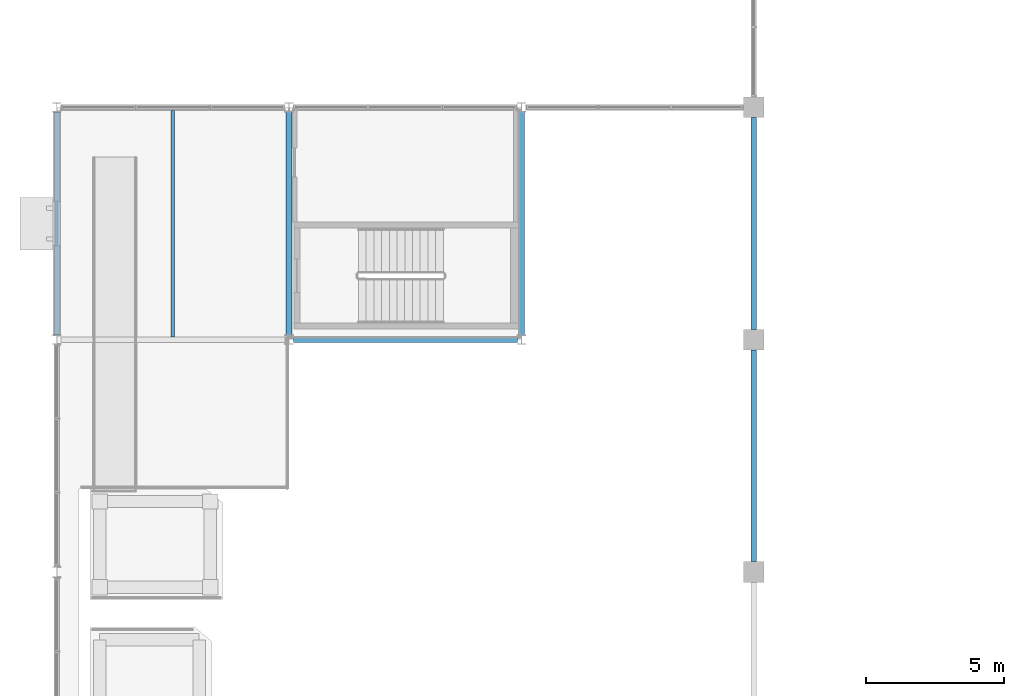
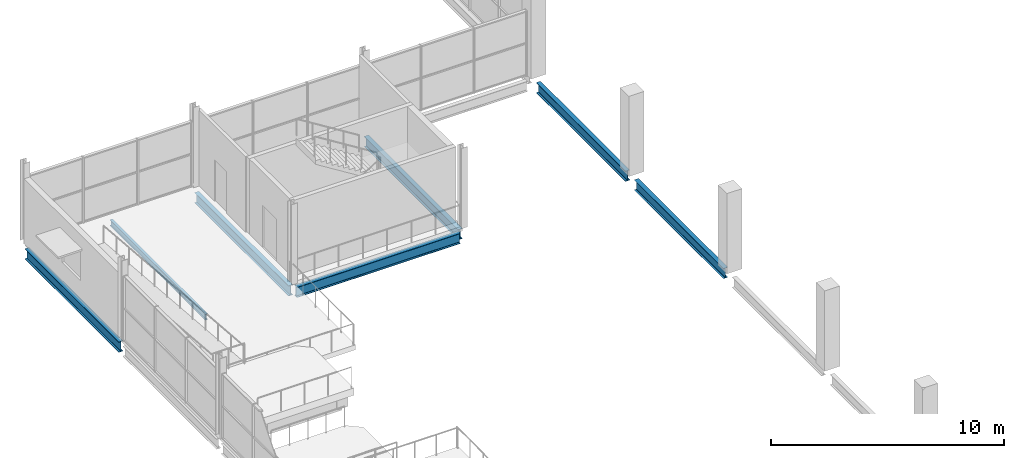
# One storey, part 33 of 93: 7 beams.
"""IFC4 building model written with IfcOpenShell, lengths in metres."""

from ifc_helpers import new_model, si_unit, direction, frame, origin, origin_2d, place, context, subcontext, project, spatial, i_section, extrude, material, material_profile, profile_set, type_object, element, save


model = new_model("IFC4")

# Units and contexts
model_context = context("Model", 3, precision=1e-05, world=origin(), true_north=direction((0.0, 1.0)))
body_context = subcontext(model_context, "Body", "Model", "MODEL_VIEW")
ifc_project = project(units=[si_unit("LENGTHUNIT", "METRE"), si_unit("AREAUNIT", "SQUARE_METRE"), si_unit("VOLUMEUNIT", "CUBIC_METRE"), si_unit("PLANEANGLEUNIT", "RADIAN"), si_unit("MASSUNIT", "GRAM", prefix="KILO"), si_unit("THERMODYNAMICTEMPERATUREUNIT", "KELVIN")], contexts=[model_context])

# Site, building, storey
site_placement = place(None, origin())
site = spatial("IfcSite", under=ifc_project, at=site_placement, CompositionType="ELEMENT")
building_placement = place(site_placement, origin())
building = spatial("IfcBuilding", under=site, at=building_placement, Name="Nduvali Passage Aquatics Centre", CompositionType="ELEMENT")
storey_placement = place(building_placement, frame((0.0, 0.0, 9.0)))
storey = spatial("IfcBuildingStorey", under=building, at=storey_placement, Name="L02", CompositionType="ELEMENT", Elevation=9.0)

# Beams
ifc_material = material(Name="Steel S355", Category="steel")
ifc_material_profile_1 = material_profile(ifc_material, i_section(OverallWidth=0.210693359375, OverallDepth=0.53955078125, WebThickness=0.01171875, FlangeThickness=0.018798828125, FilletRadius=0.0126953125, at=origin_2d()), Name="UKB 533x210x109")
ifc_profile_set_1 = profile_set([ifc_material_profile_1], Name="Steel S355")
beam_type_1 = type_object("IfcBeamType", Name="STR-BM-UKB533", PredefinedType="BEAM", material=ifc_profile_set_1)
beam_1_placement = place(storey_placement, frame((8.550048828125, 75.60009765625, -0.53369140625), z_axis=(1.0, 0.0, 0.0), x_axis=(0.0, 1.0, 0.0)))
element("IfcBeam", 1, at=beam_1_placement, inside=storey, type_object=beam_type_1, Name="L02 Primary X-Girder B6-0906", PredefinedType="BEAM", context=body_context, shape_type="SweptSolid", body=[
    extrude(i_section(OverallWidth=0.210693359375, OverallDepth=0.53955078125, WebThickness=0.01171875, FlangeThickness=0.018798828125, FilletRadius=0.0126953125, at=origin_2d()), origin(), (0.0, 0.0, 1.0), 8.099853515625),
])
for number, where, z_axis, x_axis, name in (
    (2, (8.39990234375, 75.77001953125, -0.53369140625), (0.0, 1.0, 0.0), (-1.0, 0.0, 0.0), "L02 Primary Y-Girder B6-0957"),
    (3, (16.800048828125, 75.77001953125, -0.53369140625), (0.0, 1.0, 0.0), (-1.0, 0.0, 0.0), "L02 Primary Y-Girder B6-0959"),
):
    element("IfcBeam", number, at=place(storey_placement, frame(where, z_axis=z_axis, x_axis=x_axis)), inside=storey, type_object=beam_type_1, Name=name, PredefinedType="BEAM", context=body_context, shape_type="SweptSolid", body=[
        extrude(i_section(OverallWidth=0.210693359375, OverallDepth=0.53955078125, WebThickness=0.01171875, FlangeThickness=0.018798828125, FilletRadius=0.0126953125, at=origin_2d()), origin(), (0.0, 0.0, 1.0), 8.06005859375),
    ])
ifc_material_profile_2 = material_profile(ifc_material, i_section(OverallWidth=0.210693359375, OverallDepth=0.53955078125, WebThickness=0.01171875, FlangeThickness=0.018798828125, FilletRadius=0.0126953125, at=origin_2d()), Name="UKB 533x210x109")
ifc_profile_set_2 = profile_set([ifc_material_profile_2], Name="Steel S355")
beam_type_2 = type_object("IfcBeamType", Name="STR-BM-UKB533-EXT", PredefinedType="BEAM", material=ifc_profile_set_2)
beam_2_placement = place(storey_placement, frame((0.0, 75.77001953125, -0.53369140625), z_axis=(0.0, 1.0, 0.0), x_axis=(-1.0, 0.0, 0.0)))
element("IfcBeam", 4, at=beam_2_placement, inside=storey, type_object=beam_type_2, Name="L02 Primary Y-Girder B6E-0955", PredefinedType="BEAM", context=body_context, shape_type="SweptSolid", body=[
    extrude(i_section(OverallWidth=0.210693359375, OverallDepth=0.53955078125, WebThickness=0.01171875, FlangeThickness=0.018798828125, FilletRadius=0.0126953125, at=origin_2d()), origin(), (0.0, 0.0, 1.0), 8.06005859375),
])
beam_3_placement = place(storey_placement, frame((25.199951171875, 67.574951171875, -0.53369140625), z_axis=(0.0, 1.0, 0.0), x_axis=(-1.0, 0.0, 0.0)))
element("IfcBeam", 5, at=beam_3_placement, inside=storey, type_object=beam_type_2, Name="L02 Primary Y-Girder B6E-0965", PredefinedType="BEAM", context=body_context, shape_type="SweptSolid", body=[
    extrude(i_section(OverallWidth=0.210693359375, OverallDepth=0.53955078125, WebThickness=0.01171875, FlangeThickness=0.018798828125, FilletRadius=0.0126953125, at=origin_2d()), origin(), (0.0, 0.0, 1.0), 7.650146484375),
])
beam_4_placement = place(storey_placement, frame((25.199951171875, 75.97509765625, -0.53369140625), z_axis=(0.0, 1.0, 0.0), x_axis=(-1.0, 0.0, 0.0)))
element("IfcBeam", 6, at=beam_4_placement, inside=storey, type_object=beam_type_2, Name="L02 Primary Y-Girder B6E-0966", PredefinedType="BEAM", context=body_context, shape_type="SweptSolid", body=[
    extrude(i_section(OverallWidth=0.210693359375, OverallDepth=0.53955078125, WebThickness=0.01171875, FlangeThickness=0.018798828125, FilletRadius=0.0126953125, at=origin_2d()), origin(), (0.0, 0.0, 1.0), 7.64990234375),
])
ifc_material_profile_3 = material_profile(ifc_material, i_section(OverallWidth=0.124267578125, OverallDepth=0.30712890625, WebThickness=0.008056640625, FlangeThickness=0.01220703125, FilletRadius=0.0087890625, at=origin_2d()), Name="UKB 305x127x42")
ifc_profile_set_3 = profile_set([ifc_material_profile_3], Name="Steel S355")
beam_type_3 = type_object("IfcBeamType", Name="STR-JST-UKB305L", PredefinedType="JOIST", material=ifc_profile_set_3)
beam_5_placement = place(storey_placement, frame((4.199951171875, 75.705322265625, -0.41748046875), z_axis=(0.0, 1.0, 0.0), x_axis=(-1.0, 0.0, 0.0)))
element("IfcBeam", 7, at=beam_5_placement, inside=storey, type_object=beam_type_3, Name="L02 Secondary Joist J3A-1132", PredefinedType="JOIST", context=body_context, shape_type="SweptSolid", body=[
    extrude(i_section(OverallWidth=0.124267578125, OverallDepth=0.30712890625, WebThickness=0.008056640625, FlangeThickness=0.01220703125, FilletRadius=0.0087890625, at=origin_2d()), origin(), (0.0, 0.0, 1.0), 8.189208984375),
])

save(model, "model.ifc")
